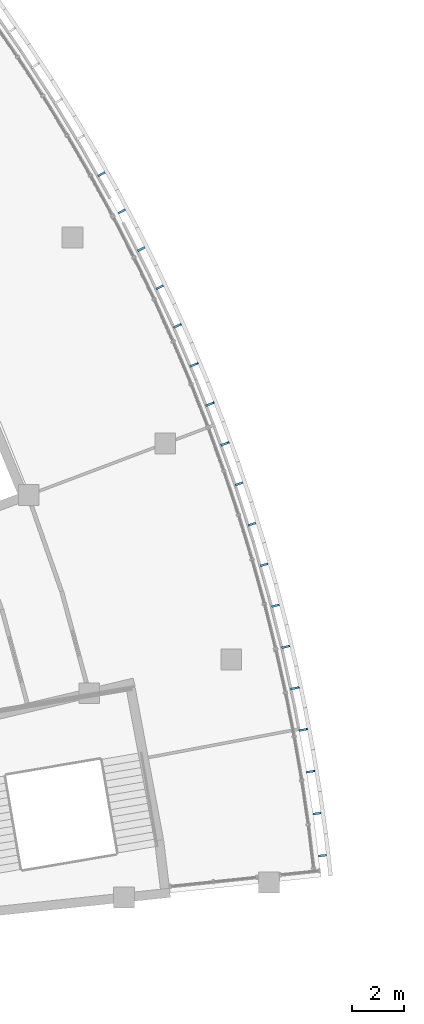
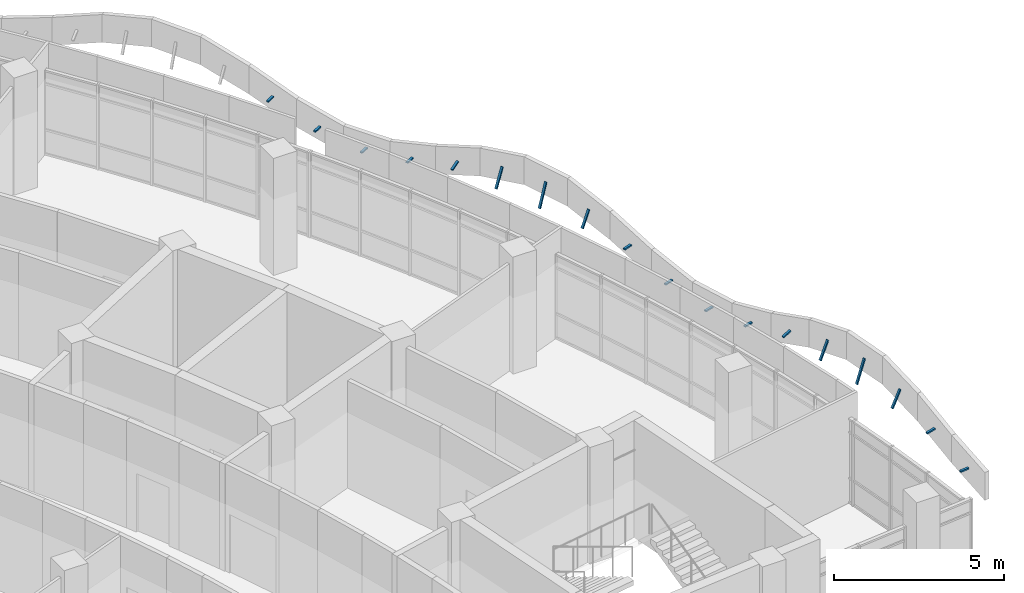
# One storey, part 90 of 109: 18 discrete accessories.
"""IFC4 building model written with IfcOpenShell, lengths in metres."""

from ifc_helpers import new_model, si_unit, direction, frame, origin, origin_2d, place, context, subcontext, project, spatial, rectangle, extrude, material, material_profile, profile_set, type_object, element, save


model = new_model("IFC4")

# Units and contexts
model_context = context("Model", 3, precision=1e-05, world=origin(), true_north=direction((0.0, 1.0)))
body_context = subcontext(model_context, "Body", "Model", "MODEL_VIEW")
ifc_project = project(units=[si_unit("LENGTHUNIT", "METRE"), si_unit("AREAUNIT", "SQUARE_METRE"), si_unit("VOLUMEUNIT", "CUBIC_METRE"), si_unit("PLANEANGLEUNIT", "RADIAN"), si_unit("MASSUNIT", "GRAM", prefix="KILO")], contexts=[model_context])

# Site, building, storey
site_placement = place(None, origin())
site = spatial("IfcSite", under=ifc_project, at=site_placement, CompositionType="ELEMENT")
building_placement = place(site_placement, origin())
building = spatial("IfcBuilding", under=site, at=building_placement, Name="Bougainvillea Quay General Hospital", CompositionType="ELEMENT")
storey_placement = place(building_placement, frame((0.0, 0.0, 12.60009765625)))
storey = spatial("IfcBuildingStorey", under=building, at=storey_placement, Name="L02", CompositionType="ELEMENT", Elevation=12.60009765625)

# Discrete accessories
ifc_material = material(Name="Stainless steel bracket, grade 316", Category="steel")
ifc_material_profile = material_profile(ifc_material, rectangle(XDim=0.080078125, YDim=0.050048828125, at=origin_2d()))
ifc_profile_set = profile_set([ifc_material_profile], Name="Stainless steel bracket, grade 316")
discrete_accessory_type = type_object("IfcDiscreteAccessoryType", Name="Stainless steel stand-off bracket 80x50", PredefinedType="BRACKET", material=ifc_profile_set)
discrete_accessory_1_placement = place(storey_placement, frame((178.72265625, 30.123779296875, 3.6708984375), z_axis=(0.993305209587, 0.115519524784, 0.0), x_axis=(-0.115519524784, 0.993305209587, 0.0)))
element("IfcDiscreteAccessory", 1, at=discrete_accessory_1_placement, inside=storey, type_object=discrete_accessory_type, Name="Fascia bracket a23 1", PredefinedType="BRACKET", context=body_context, shape_type="SweptSolid", body=[
    extrude(rectangle(XDim=0.080078125, YDim=0.050048828125, at=origin_2d()), origin(), (0.0, 0.0, 1.0), 0.300048828125),
])
discrete_accessory_2_placement = place(storey_placement, frame((178.515625, 31.734619140625, 4.139892578125), z_axis=(0.978970196851, 0.137667683932, 0.150548870733), x_axis=(-0.139254831399, 0.990256578838, 0.0)))
element("IfcDiscreteAccessory", 2, at=discrete_accessory_2_placement, inside=storey, type_object=discrete_accessory_type, Name="Fascia bracket a23 2", PredefinedType="BRACKET", context=body_context, shape_type="SweptSolid", body=[
    extrude(rectangle(XDim=0.080078125, YDim=0.050048828125, at=origin_2d()), origin(), (0.0, 0.0, 1.0), 0.30322265625),
])
discrete_accessory_3_placement = place(storey_placement, frame((178.27099609375, 33.34033203125, 4.139892578125), z_axis=(0.460298267644, 0.075514719919, 0.884546794624), x_axis=(-0.161891913248, 0.986808496328, 0.0)))
element("IfcDiscreteAccessory", 3, at=discrete_accessory_3_placement, inside=storey, type_object=discrete_accessory_type, Name="Fascia bracket a23 3", PredefinedType="BRACKET", context=body_context, shape_type="SweptSolid", body=[
    extrude(rectangle(XDim=0.080078125, YDim=0.050048828125, at=origin_2d()), origin(), (0.0, 0.0, 1.0), 0.643310546875),
])
discrete_accessory_4_placement = place(storey_placement, frame((177.9892578125, 34.93994140625, 4.139892578125), z_axis=(0.345241948757, 0.06487576355, 0.936268728583), x_axis=(-0.184681492326, 0.982798426124, 0.0)))
element("IfcDiscreteAccessory", 4, at=discrete_accessory_4_placement, inside=storey, type_object=discrete_accessory_type, Name="Fascia bracket a23 4", PredefinedType="BRACKET", context=body_context, shape_type="SweptSolid", body=[
    extrude(rectangle(XDim=0.080078125, YDim=0.050048828125, at=origin_2d()), origin(), (0.0, 0.0, 1.0), 0.854248046875),
])
discrete_accessory_5_placement = place(storey_placement, frame((177.67041015625, 36.532470703125, 4.139892578125), z_axis=(0.434153199081, 0.092104048058, 0.896118208753), x_axis=(-0.207527808066, 0.978229118806, 0.0)))
element("IfcDiscreteAccessory", 5, at=discrete_accessory_5_placement, inside=storey, type_object=discrete_accessory_type, Name="Fascia bracket a23 5", PredefinedType="BRACKET", context=body_context, shape_type="SweptSolid", body=[
    extrude(rectangle(XDim=0.080078125, YDim=0.050048828125, at=origin_2d()), origin(), (0.0, 0.0, 1.0), 0.676025390625),
])
discrete_accessory_6_placement = place(storey_placement, frame((177.31494140625, 38.1171875, 4.139892578125), z_axis=(0.924908748659, 0.218853825979, 0.3108806998), x_axis=(-0.230263632702, 0.973128285199, 0.0)))
element("IfcDiscreteAccessory", 6, at=discrete_accessory_6_placement, inside=storey, type_object=discrete_accessory_type, Name="Fascia bracket a23 6", PredefinedType="BRACKET", context=body_context, shape_type="SweptSolid", body=[
    extrude(rectangle(XDim=0.080078125, YDim=0.050048828125, at=origin_2d()), origin(), (0.0, 0.0, 1.0), 0.315673828125),
])
discrete_accessory_7_placement = place(storey_placement, frame((176.922607421875, 39.693359375, 3.70849609375), z_axis=(0.96745289374, 0.253051177421, 0.0), x_axis=(-0.253051177421, 0.96745289374, 0.0)))
element("IfcDiscreteAccessory", 7, at=discrete_accessory_7_placement, inside=storey, type_object=discrete_accessory_type, Name="Fascia bracket a23 7", PredefinedType="BRACKET", context=body_context, shape_type="SweptSolid", body=[
    extrude(rectangle(XDim=0.080078125, YDim=0.050048828125, at=origin_2d()), origin(), (0.0, 0.0, 1.0), 0.300048828125),
])
discrete_accessory_8_placement = place(storey_placement, frame((176.493896484375, 41.260009765625, 3.461181640625), z_axis=(0.961400974977, 0.275151168114, 0.0), x_axis=(-0.275151168114, 0.961400974977, 0.0)))
element("IfcDiscreteAccessory", 8, at=discrete_accessory_8_placement, inside=storey, type_object=discrete_accessory_type, Name="Fascia bracket a23 8", PredefinedType="BRACKET", context=body_context, shape_type="SweptSolid", body=[
    extrude(rectangle(XDim=0.080078125, YDim=0.050048828125, at=origin_2d()), origin(), (0.0, 0.0, 1.0), 0.2998046875),
])
discrete_accessory_9_placement = place(storey_placement, frame((176.02880859375, 42.816162109375, 3.63818359375), z_axis=(0.954610213882, 0.297857918398, 0.0), x_axis=(-0.297857918398, 0.954610213882, 0.0)))
element("IfcDiscreteAccessory", 9, at=discrete_accessory_9_placement, inside=storey, type_object=discrete_accessory_type, Name="Fascia bracket a23 9", PredefinedType="BRACKET", context=body_context, shape_type="SweptSolid", body=[
    extrude(rectangle(XDim=0.080078125, YDim=0.050048828125, at=origin_2d()), origin(), (0.0, 0.0, 1.0), 0.300048828125),
])
discrete_accessory_10_placement = place(storey_placement, frame((175.52783203125, 44.361328125, 4.137939453125), z_axis=(0.947701758077, 0.319157293098, 0.0), x_axis=(-0.319157293098, 0.947701758077, 0.0)))
element("IfcDiscreteAccessory", 10, at=discrete_accessory_10_placement, inside=storey, type_object=discrete_accessory_type, Name="Fascia bracket a23 10", PredefinedType="BRACKET", context=body_context, shape_type="SweptSolid", body=[
    extrude(rectangle(XDim=0.080078125, YDim=0.050048828125, at=origin_2d()), origin(), (0.0, 0.0, 1.0), 0.2998046875),
])
discrete_accessory_11_placement = place(storey_placement, frame((174.9912109375, 45.894287109375, 4.139892578125), z_axis=(0.46091565322, 0.167206630908, 0.871549598816), x_axis=(-0.341024117094, 0.94005454712, 0.0)))
element("IfcDiscreteAccessory", 11, at=discrete_accessory_11_placement, inside=storey, type_object=discrete_accessory_type, Name="Fascia bracket a23 11", PredefinedType="BRACKET", context=body_context, shape_type="SweptSolid", body=[
    extrude(rectangle(XDim=0.080078125, YDim=0.050048828125, at=origin_2d()), origin(), (0.0, 0.0, 1.0), 0.61181640625),
])
discrete_accessory_12_placement = place(storey_placement, frame((174.4189453125, 47.414306640625, 4.139892578125), z_axis=(0.328390294774, 0.127914472899, 0.935840639169), x_axis=(-0.362956743558, 0.931805989628, 0.0)))
element("IfcDiscreteAccessory", 12, at=discrete_accessory_12_placement, inside=storey, type_object=discrete_accessory_type, Name="Fascia bracket a23 12", PredefinedType="BRACKET", context=body_context, shape_type="SweptSolid", body=[
    extrude(rectangle(XDim=0.080078125, YDim=0.050048828125, at=origin_2d()), origin(), (0.0, 0.0, 1.0), 0.851318359375),
])
discrete_accessory_13_placement = place(storey_placement, frame((173.811767578125, 48.920654296875, 4.139892578125), z_axis=(0.393224922353, 0.164017097242, 0.904694728764), x_axis=(-0.384962096424, 0.922932383394, 0.0)))
element("IfcDiscreteAccessory", 13, at=discrete_accessory_13_placement, inside=storey, type_object=discrete_accessory_type, Name="Fascia bracket a23 13", PredefinedType="BRACKET", context=body_context, shape_type="SweptSolid", body=[
    extrude(rectangle(XDim=0.080078125, YDim=0.050048828125, at=origin_2d()), origin(), (0.0, 0.0, 1.0), 0.7041015625),
])
discrete_accessory_14_placement = place(storey_placement, frame((173.169677734375, 50.41259765625, 4.139892578125), z_axis=(0.821716947007, 0.365126230237, 0.437566103571), x_axis=(-0.406062961772, 0.913845102344, 0.0)))
element("IfcDiscreteAccessory", 14, at=discrete_accessory_14_placement, inside=storey, type_object=discrete_accessory_type, Name="Fascia bracket a23 14", PredefinedType="BRACKET", context=body_context, shape_type="SweptSolid", body=[
    extrude(rectangle(XDim=0.080078125, YDim=0.050048828125, at=origin_2d()), origin(), (0.0, 0.0, 1.0), 0.333740234375),
])
discrete_accessory_15_placement = place(storey_placement, frame((172.4931640625, 51.889404296875, 3.745361328125), z_axis=(0.904449371702, 0.426580981793, 0.0), x_axis=(-0.426580981793, 0.904449371702, 0.0)))
element("IfcDiscreteAccessory", 15, at=discrete_accessory_15_placement, inside=storey, type_object=discrete_accessory_type, Name="Fascia bracket a23 15", PredefinedType="BRACKET", context=body_context, shape_type="SweptSolid", body=[
    extrude(rectangle(XDim=0.080078125, YDim=0.050048828125, at=origin_2d()), origin(), (0.0, 0.0, 1.0), 0.2998046875),
])
for number, where, z_axis, x_axis, name in (
    (16, (171.78271484375, 53.349853515625, 3.466064453125), (0.894264390306, 0.447539048834, 0.0), (-0.447539048834, 0.894264390306, 0.0), "Fascia bracket a23 16"),
    (17, (171.038330078125, 54.79345703125, 3.608154296875), (0.8834314911, 0.46856034887, 0.0), (-0.46856034887, 0.8834314911, 0.0), "Fascia bracket a23 17"),
    (18, (170.260986328125, 56.219482421875, 4.09033203125), (0.872270034902, 0.489024525164, 0.0), (-0.489024525164, 0.872270034902, 0.0), "Fascia bracket a23 18"),
):
    element("IfcDiscreteAccessory", number, at=place(storey_placement, frame(where, z_axis=z_axis, x_axis=x_axis)), inside=storey, type_object=discrete_accessory_type, Name=name, PredefinedType="BRACKET", context=body_context, shape_type="SweptSolid", body=[
        extrude(rectangle(XDim=0.080078125, YDim=0.050048828125, at=origin_2d()), origin(), (0.0, 0.0, 1.0), 0.300048828125),
    ])

save(model, "model.ifc")
